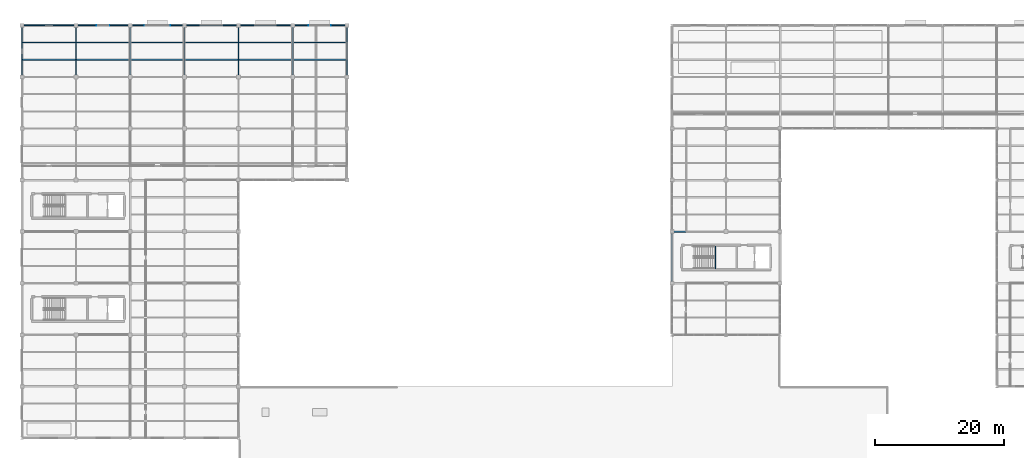
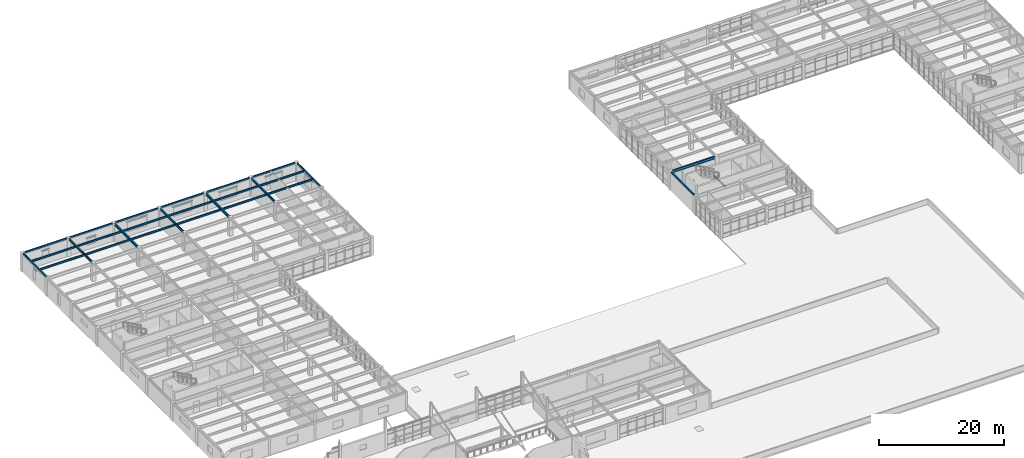
# One storey, part 25 of 96: 36 beams.
"""IFC4 building model written with IfcOpenShell, lengths in metres."""

from ifc_helpers import new_model, si_unit, direction, frame, origin, origin_2d, place, context, subcontext, project, spatial, hollow_rectangle, i_section, u_section, extrude, material, material_profile, profile_set, type_object, element, save


model = new_model("IFC4")

# Units and contexts
model_context = context("Model", 3, precision=1e-05, world=origin(), true_north=direction((0.0, 1.0)))
body_context = subcontext(model_context, "Body", "Model", "MODEL_VIEW")
ifc_project = project(units=[si_unit("LENGTHUNIT", "METRE"), si_unit("AREAUNIT", "SQUARE_METRE"), si_unit("VOLUMEUNIT", "CUBIC_METRE"), si_unit("PLANEANGLEUNIT", "RADIAN"), si_unit("MASSUNIT", "GRAM", prefix="KILO")], contexts=[model_context])

# Site, building, storey
site_placement = place(None, origin())
site = spatial("IfcSite", under=ifc_project, at=site_placement, CompositionType="ELEMENT")
building_placement = place(site_placement, origin())
building = spatial("IfcBuilding", under=site, at=building_placement, Name="Kranzveld Transit Interchange", CompositionType="ELEMENT")
storey_placement = place(building_placement, frame((0.0, 0.0, 9.52001953125)))
storey = spatial("IfcBuildingStorey", under=building, at=storey_placement, Name="L02", CompositionType="ELEMENT", Elevation=9.52001953125)

# Beams
ifc_material_1 = material(Name="Steel S355JR", Category="steel")
ifc_material_profile_1 = material_profile(ifc_material_1, i_section(OverallWidth=0.19189453125, OverallDepth=0.46337890625, WebThickness=0.010498046875, FlangeThickness=0.017578125, FilletRadius=0.01025390625, at=origin_2d()), Name="UB 457x191x89")
ifc_profile_set_1 = profile_set([ifc_material_profile_1], Name="Steel S355JR")
beam_type_1 = type_object("IfcBeamType", Name="Beam Steel UB 457x191x89 S355JR", PredefinedType="BEAM", material=ifc_profile_set_1)
for number, where, z_axis, x_axis, name in (
    (1, (8.39990234375, 104.2900390625, 3.33837890625), (0.0, 1.0, 0.0), (-1.0, 0.0, 0.0), "L02 Girder 02/P-Q"),
    (2, (16.800048828125, 104.2900390625, 3.33837890625), (0.0, 1.0, 0.0), (-1.0, 0.0, 0.0), "L02 Girder 03/P-Q"),
    (3, (25.199951171875, 104.2900390625, 3.33837890625), (0.0, 1.0, 0.0), (-1.0, 0.0, 0.0), "L02 Girder 04/P-Q"),
    (4, (33.60009765625, 104.2900390625, 3.33837890625), (0.0, 1.0, 0.0), (-1.0, 0.0, 0.0), "L02 Girder 05/P-Q"),
    (5, (42.0, 104.2900390625, 3.33837890625), (0.0, 1.0, 0.0), (-1.0, 0.0, 0.0), "L02 Girder 06/P-Q"),
):
    element("IfcBeam", number, at=place(storey_placement, frame(where, z_axis=z_axis, x_axis=x_axis)), inside=storey, type_object=beam_type_1, Name=name, PredefinedType="BEAM", context=body_context, shape_type="SweptSolid", body=[
        extrude(i_section(OverallWidth=0.19189453125, OverallDepth=0.46337890625, WebThickness=0.010498046875, FlangeThickness=0.017578125, FilletRadius=0.01025390625, at=origin_2d()), origin(), (0.0, 0.0, 1.0), 7.419921875),
    ])
ifc_material_2 = material(Name="Steel S355JR", Category="steel")
ifc_material_profile_2 = material_profile(ifc_material_2, hollow_rectangle(XDim=0.199951171875, YDim=0.300048828125, WallThickness=0.010009765625, InnerFilletRadius=0.014892578125, OuterFilletRadius=0.02490234375, at=origin_2d()), Name="RHS 300x200x10")
ifc_profile_set_2 = profile_set([ifc_material_profile_2], Name="Steel S355JR")
beam_type_2 = type_object("IfcBeamType", Name="Edge Spandrel RHS 300x200x10 S355JR", PredefinedType="SPANDREL", material=ifc_profile_set_2)
for number, where, z_axis, x_axis, name in (
    (6, (0.2900390625, 112.0, 3.419921875), (1.0, 0.0, 0.0), (0.0, 1.0, 0.0), "L02 Girder 01-02/Q"),
    (7, (8.68994140625, 112.0, 3.419921875), (1.0, 0.0, 0.0), (0.0, 1.0, 0.0), "L02 Girder 02-03/Q"),
):
    element("IfcBeam", number, at=place(storey_placement, frame(where, z_axis=z_axis, x_axis=x_axis)), inside=storey, type_object=beam_type_2, Name=name, PredefinedType="SPANDREL", context=body_context, shape_type="SweptSolid", body=[
        extrude(hollow_rectangle(XDim=0.199951171875, YDim=0.300048828125, WallThickness=0.010009765625, InnerFilletRadius=0.014892578125, OuterFilletRadius=0.02490234375, at=origin_2d()), origin(), (0.0, 0.0, 1.0), 7.820068359375),
    ])
beam_1_placement = place(storey_placement, frame((17.090087890625, 112.0, 3.419921875), z_axis=(1.0, 0.0, 0.0), x_axis=(0.0, 1.0, 0.0)))
element("IfcBeam", 8, at=beam_1_placement, inside=storey, type_object=beam_type_2, Name="L02 Girder 03-04/Q", PredefinedType="SPANDREL", context=body_context, shape_type="SweptSolid", body=[
    extrude(hollow_rectangle(XDim=0.199951171875, YDim=0.300048828125, WallThickness=0.010009765625, InnerFilletRadius=0.014892578125, OuterFilletRadius=0.02490234375, at=origin_2d()), origin(), (0.0, 0.0, 1.0), 7.81982421875),
])
for number, where, z_axis, x_axis, name in (
    (9, (25.489990234375, 112.0, 3.419921875), (1.0, 0.0, 0.0), (0.0, 1.0, 0.0), "L02 Girder 04-05/Q"),
    (10, (33.889892578125, 112.0, 3.419921875), (1.0, 0.0, 0.0), (0.0, 1.0, 0.0), "L02 Girder 05-06/Q"),
    (11, (42.2900390625, 112.0, 3.419921875), (1.0, 0.0, 0.0), (0.0, 1.0, 0.0), "L02 Girder 06-07/Q"),
):
    element("IfcBeam", number, at=place(storey_placement, frame(where, z_axis=z_axis, x_axis=x_axis)), inside=storey, type_object=beam_type_2, Name=name, PredefinedType="SPANDREL", context=body_context, shape_type="SweptSolid", body=[
        extrude(hollow_rectangle(XDim=0.199951171875, YDim=0.300048828125, WallThickness=0.010009765625, InnerFilletRadius=0.014892578125, OuterFilletRadius=0.02490234375, at=origin_2d()), origin(), (0.0, 0.0, 1.0), 7.820068359375),
    ])
for number, where, z_axis, x_axis, name in (
    (12, (0.0, 104.2900390625, 3.419921875), (0.0, 1.0, 0.0), (-1.0, 0.0, 0.0), "L02 Girder 01/P-Q"),
    (13, (50.39990234375, 104.2900390625, 3.419921875), (0.0, 1.0, 0.0), (-1.0, 0.0, 0.0), "L02 Girder 07/P-Q"),
    (14, (100.800048828125, 72.2900390625, 3.419921875), (0.0, 1.0, 0.0), (-1.0, 0.0, 0.0), "L02 Girder 13/K-L"),
):
    element("IfcBeam", number, at=place(storey_placement, frame(where, z_axis=z_axis, x_axis=x_axis)), inside=storey, type_object=beam_type_2, Name=name, PredefinedType="SPANDREL", context=body_context, shape_type="SweptSolid", body=[
        extrude(hollow_rectangle(XDim=0.199951171875, YDim=0.300048828125, WallThickness=0.010009765625, InnerFilletRadius=0.014892578125, OuterFilletRadius=0.02490234375, at=origin_2d()), origin(), (0.0, 0.0, 1.0), 7.419921875),
    ])
ifc_material_3 = material(Name="Steel S355JR", Category="steel")
ifc_material_profile_3 = material_profile(ifc_material_3, i_section(OverallWidth=0.171142578125, OverallDepth=0.351318359375, WebThickness=0.007080078125, FlangeThickness=0.009765625, FilletRadius=0.01025390625, at=origin_2d()), Name="UB 356x171x45")
ifc_profile_set_3 = profile_set([ifc_material_profile_3], Name="Steel S355JR")
beam_type_3 = type_object("IfcBeamType", Name="Floor Joist UB 356x171x45 S355JR", PredefinedType="JOIST", material=ifc_profile_set_3)
for number, where, z_axis, x_axis, name in (
    (15, (0.10205078125, 106.666748046875, 3.394287109375), (1.0, 0.0, 0.0), (0.0, 1.0, 0.0), "L02 Secondary Joist 01-02/P.1"),
    (16, (0.10205078125, 109.333251953125, 3.394287109375), (1.0, 0.0, 0.0), (0.0, 1.0, 0.0), "L02 Secondary Joist 01-02/P.2"),
):
    element("IfcBeam", number, at=place(storey_placement, frame(where, z_axis=z_axis, x_axis=x_axis)), inside=storey, type_object=beam_type_3, Name=name, PredefinedType="JOIST", context=body_context, shape_type="SweptSolid", body=[
        extrude(i_section(OverallWidth=0.171142578125, OverallDepth=0.351318359375, WebThickness=0.007080078125, FlangeThickness=0.009765625, FilletRadius=0.01025390625, at=origin_2d()), origin(), (0.0, 0.0, 1.0), 8.199951171875),
    ])
for number, where, z_axis, x_axis, name in (
    (17, (8.498046875, 106.666748046875, 3.394287109375), (1.0, 0.0, 0.0), (0.0, 1.0, 0.0), "L02 Secondary Joist 02-03/P.1"),
    (18, (8.498046875, 109.333251953125, 3.394287109375), (1.0, 0.0, 0.0), (0.0, 1.0, 0.0), "L02 Secondary Joist 02-03/P.2"),
    (19, (16.89794921875, 106.666748046875, 3.394287109375), (1.0, 0.0, 0.0), (0.0, 1.0, 0.0), "L02 Secondary Joist 03-04/P.1"),
    (20, (16.89794921875, 109.333251953125, 3.394287109375), (1.0, 0.0, 0.0), (0.0, 1.0, 0.0), "L02 Secondary Joist 03-04/P.2"),
    (21, (25.2978515625, 106.666748046875, 3.394287109375), (1.0, 0.0, 0.0), (0.0, 1.0, 0.0), "L02 Secondary Joist 04-05/P.1"),
    (22, (25.2978515625, 109.333251953125, 3.394287109375), (1.0, 0.0, 0.0), (0.0, 1.0, 0.0), "L02 Secondary Joist 04-05/P.2"),
    (23, (33.697998046875, 106.666748046875, 3.394287109375), (1.0, 0.0, 0.0), (0.0, 1.0, 0.0), "L02 Secondary Joist 05-06/P.1"),
    (24, (33.697998046875, 109.333251953125, 3.394287109375), (1.0, 0.0, 0.0), (0.0, 1.0, 0.0), "L02 Secondary Joist 05-06/P.2"),
):
    element("IfcBeam", number, at=place(storey_placement, frame(where, z_axis=z_axis, x_axis=x_axis)), inside=storey, type_object=beam_type_3, Name=name, PredefinedType="JOIST", context=body_context, shape_type="SweptSolid", body=[
        extrude(i_section(OverallWidth=0.171142578125, OverallDepth=0.351318359375, WebThickness=0.007080078125, FlangeThickness=0.009765625, FilletRadius=0.01025390625, at=origin_2d()), origin(), (0.0, 0.0, 1.0), 8.2041015625),
    ])
for number, where, z_axis, x_axis, name in (
    (25, (42.097900390625, 106.666748046875, 3.394287109375), (1.0, 0.0, 0.0), (0.0, 1.0, 0.0), "L02 Secondary Joist 06-07/P.1"),
    (26, (42.097900390625, 109.333251953125, 3.394287109375), (1.0, 0.0, 0.0), (0.0, 1.0, 0.0), "L02 Secondary Joist 06-07/P.2"),
):
    element("IfcBeam", number, at=place(storey_placement, frame(where, z_axis=z_axis, x_axis=x_axis)), inside=storey, type_object=beam_type_3, Name=name, PredefinedType="JOIST", context=body_context, shape_type="SweptSolid", body=[
        extrude(i_section(OverallWidth=0.171142578125, OverallDepth=0.351318359375, WebThickness=0.007080078125, FlangeThickness=0.009765625, FilletRadius=0.01025390625, at=origin_2d()), origin(), (0.0, 0.0, 1.0), 8.2001953125),
    ])
ifc_material_4 = material(Name="Steel S355JR", Category="steel")
ifc_material_profile_4 = material_profile(ifc_material_4, i_section(OverallWidth=0.209228515625, OverallDepth=0.533203125, WebThickness=0.010009765625, FlangeThickness=0.015625, FilletRadius=0.0126953125, at=origin_2d()), Name="UB 533x210x92")
ifc_profile_set_4 = profile_set([ifc_material_profile_4], Name="Steel S355JR")
beam_type_4 = type_object("IfcBeamType", Name="Girder Steel UB 533x210x92 S355JR", PredefinedType="BEAM", material=ifc_profile_set_4)
beam_2_placement = place(storey_placement, frame((101.090087890625, 80.0, 3.303466796875), z_axis=(1.0, 0.0, 0.0), x_axis=(0.0, 1.0, 0.0)))
element("IfcBeam", 27, at=beam_2_placement, inside=storey, type_object=beam_type_4, Name="L02 Girder 13-14/L", PredefinedType="BEAM", context=body_context, shape_type="SweptSolid", body=[
    extrude(i_section(OverallWidth=0.209228515625, OverallDepth=0.533203125, WebThickness=0.010009765625, FlangeThickness=0.015625, FilletRadius=0.0126953125, at=origin_2d()), origin(), (0.0, 0.0, 1.0), 7.81982421875),
])
ifc_material_5 = material(Name="Steel S355JR", Category="steel")
ifc_material_profile_5 = material_profile(ifc_material_5, u_section(Depth=0.179931640625, FlangeWidth=0.070068359375, WebThickness=0.007080078125, FlangeThickness=0.010986328125, FilletRadius=0.010009765625, at=origin_2d()), Name="PFC 180x70x22")
ifc_profile_set_5 = profile_set([ifc_material_profile_5], Name="Steel S355JR")
beam_type_5 = type_object("IfcBeamType", Name="Masonry Lintel PFC 180x70x22 S355JR", PredefinedType="LINTEL", material=ifc_profile_set_5)
beam_3_placement = place(storey_placement, frame((19.02001953125, 112.0, 2.794921875), z_axis=(1.0, 0.0, 0.0), x_axis=(0.0, 1.0, 0.0)))
element("IfcBeam", 28, at=beam_3_placement, inside=storey, type_object=beam_type_5, Name="L02 Window Lintel 161", PredefinedType="LINTEL", context=body_context, shape_type="SweptSolid", body=[
    extrude(u_section(Depth=0.179931640625, FlangeWidth=0.070068359375, WebThickness=0.007080078125, FlangeThickness=0.010986328125, FilletRadius=0.010009765625, at=origin_2d()), origin(), (0.0, 0.0, 1.0), 3.9599609375),
])
ifc_material_6 = material(Name="Steel S355JR", Category="steel")
ifc_material_profile_6 = material_profile(ifc_material_6, u_section(Depth=0.199951171875, FlangeWidth=0.074951171875, WebThickness=0.006103515625, FlangeThickness=0.012451171875, FilletRadius=0.011962890625, at=origin_2d()), Name="PFC 200x75x23")
ifc_profile_set_6 = profile_set([ifc_material_profile_6], Name="Steel S355JR")
beam_type_6 = type_object("IfcBeamType", Name="Masonry Lintel PFC 200x75x23 S355JR", PredefinedType="LINTEL", material=ifc_profile_set_6)
beam_4_placement = place(storey_placement, frame((44.52001953125, 112.0, 2.655029296875), z_axis=(1.0, 0.0, 0.0), x_axis=(0.0, 1.0, 0.0)))
element("IfcBeam", 29, at=beam_4_placement, inside=storey, type_object=beam_type_6, Name="L02 Window Lintel 144", PredefinedType="LINTEL", context=body_context, shape_type="SweptSolid", body=[
    extrude(u_section(Depth=0.199951171875, FlangeWidth=0.074951171875, WebThickness=0.006103515625, FlangeThickness=0.012451171875, FilletRadius=0.011962890625, at=origin_2d()), origin(), (0.0, 0.0, 1.0), 3.35986328125),
])
beam_5_placement = place(storey_placement, frame((11.6201171875, 112.0, 2.205078125), z_axis=(1.0, 0.0, 0.0), x_axis=(0.0, 1.0, 0.0)))
element("IfcBeam", 30, at=beam_5_placement, inside=storey, type_object=beam_type_6, Name="L02 Window Lintel 160", PredefinedType="LINTEL", context=body_context, shape_type="SweptSolid", body=[
    extrude(u_section(Depth=0.199951171875, FlangeWidth=0.074951171875, WebThickness=0.006103515625, FlangeThickness=0.012451171875, FilletRadius=0.011962890625, at=origin_2d()), origin(), (0.0, 0.0, 1.0), 1.9599609375),
])
ifc_material_7 = material(Name="Steel S355JR", Category="steel")
ifc_material_profile_7 = material_profile(ifc_material_7, i_section(OverallWidth=0.091064453125, OverallDepth=0.179931640625, WebThickness=0.00537109375, FlangeThickness=0.008056640625, FilletRadius=0.009033203125, at=origin_2d()), Name="IPE 180")
ifc_profile_set_7 = profile_set([ifc_material_profile_7], Name="Steel S355JR")
beam_type_7 = type_object("IfcBeamType", Name="Opening Lintel IPE 180 S355JR", PredefinedType="LINTEL", material=ifc_profile_set_7)
beam_6_placement = place(storey_placement, frame((36.02001953125, 112.0, 2.64501953125), z_axis=(1.0, 0.0, 0.0), x_axis=(0.0, 1.0, 0.0)))
element("IfcBeam", 31, at=beam_6_placement, inside=storey, type_object=beam_type_7, Name="L02 Window Lintel 143", PredefinedType="LINTEL", context=body_context, shape_type="SweptSolid", body=[
    extrude(i_section(OverallWidth=0.091064453125, OverallDepth=0.179931640625, WebThickness=0.00537109375, FlangeThickness=0.008056640625, FilletRadius=0.009033203125, at=origin_2d()), origin(), (0.0, 0.0, 1.0), 3.56005859375),
])
beam_7_placement = place(storey_placement, frame((50.39990234375, 106.6201171875, 2.744873046875), z_axis=(0.0, 1.0, 0.0), x_axis=(-1.0, 0.0, 0.0)))
element("IfcBeam", 32, at=beam_7_placement, inside=storey, type_object=beam_type_7, Name="L02 Window Lintel 147", PredefinedType="LINTEL", context=body_context, shape_type="SweptSolid", body=[
    extrude(i_section(OverallWidth=0.091064453125, OverallDepth=0.179931640625, WebThickness=0.00537109375, FlangeThickness=0.008056640625, FilletRadius=0.009033203125, at=origin_2d()), origin(), (0.0, 0.0, 1.0), 2.759765625),
])
beam_8_placement = place(storey_placement, frame((3.419921875, 112.0, 2.594970703125), z_axis=(1.0, 0.0, 0.0), x_axis=(0.0, 1.0, 0.0)))
element("IfcBeam", 33, at=beam_8_placement, inside=storey, type_object=beam_type_7, Name="L02 Window Lintel 159", PredefinedType="LINTEL", context=body_context, shape_type="SweptSolid", body=[
    extrude(i_section(OverallWidth=0.091064453125, OverallDepth=0.179931640625, WebThickness=0.00537109375, FlangeThickness=0.008056640625, FilletRadius=0.009033203125, at=origin_2d()), origin(), (0.0, 0.0, 1.0), 1.56005859375),
])
ifc_material_8 = material(Name="Steel S355JR", Category="steel")
ifc_material_profile_8 = material_profile(ifc_material_8, i_section(OverallWidth=0.10009765625, OverallDepth=0.199951171875, WebThickness=0.005615234375, FlangeThickness=0.008544921875, FilletRadius=0.011962890625, at=origin_2d()), Name="IPE 200")
ifc_profile_set_8 = profile_set([ifc_material_profile_8], Name="Steel S355JR")
beam_type_8 = type_object("IfcBeamType", Name="Opening Lintel IPE 200 S355JR", PredefinedType="LINTEL", material=ifc_profile_set_8)
beam_9_placement = place(storey_placement, frame((0.0, 107.419921875, 2.60498046875), z_axis=(0.0, 1.0, 0.0), x_axis=(-1.0, 0.0, 0.0)))
element("IfcBeam", 34, at=beam_9_placement, inside=storey, type_object=beam_type_8, Name="L02 Window Lintel 158", PredefinedType="LINTEL", context=body_context, shape_type="SweptSolid", body=[
    extrude(i_section(OverallWidth=0.10009765625, OverallDepth=0.199951171875, WebThickness=0.005615234375, FlangeThickness=0.008544921875, FilletRadius=0.011962890625, at=origin_2d()), origin(), (0.0, 0.0, 1.0), 1.16015625),
])
beam_10_placement = place(storey_placement, frame((27.52001953125, 112.0, 2.705078125), z_axis=(1.0, 0.0, 0.0), x_axis=(0.0, 1.0, 0.0)))
element("IfcBeam", 35, at=beam_10_placement, inside=storey, type_object=beam_type_8, Name="L02 Window Lintel 162", PredefinedType="LINTEL", context=body_context, shape_type="SweptSolid", body=[
    extrude(i_section(OverallWidth=0.10009765625, OverallDepth=0.199951171875, WebThickness=0.005615234375, FlangeThickness=0.008544921875, FilletRadius=0.011962890625, at=origin_2d()), origin(), (0.0, 0.0, 1.0), 3.760009765625),
])
ifc_material_9 = material(Name="Steel S355JR", Category="steel")
ifc_material_profile_9 = material_profile(ifc_material_9, i_section(OverallWidth=0.165771484375, OverallDepth=0.306640625, WebThickness=0.006591796875, FlangeThickness=0.01171875, FilletRadius=0.0087890625, at=origin_2d()), Name="UB 305x165x46")
ifc_profile_set_9 = profile_set([ifc_material_profile_9], Name="Steel S355JR")
beam_type_9 = type_object("IfcBeamType", Name="Roof Joist UB 305x165x46 S355JR", PredefinedType="JOIST", material=ifc_profile_set_9)
beam_11_placement = place(storey_placement, frame((107.550048828125, 74.22998046875, 1.566650390625), z_axis=(0.0, 1.0, 0.0), x_axis=(-1.0, 0.0, 0.0)))
element("IfcBeam", 36, at=beam_11_placement, inside=storey, type_object=beam_type_9, Name="L02 ST-V4A Half-Landing Support Beam", PredefinedType="BEAM", context=body_context, shape_type="SweptSolid", body=[
    extrude(i_section(OverallWidth=0.165771484375, OverallDepth=0.306640625, WebThickness=0.006591796875, FlangeThickness=0.01171875, FilletRadius=0.0087890625, at=origin_2d()), origin(), (0.0, 0.0, 1.0), 3.5400390625),
])

save(model, "model.ifc")
